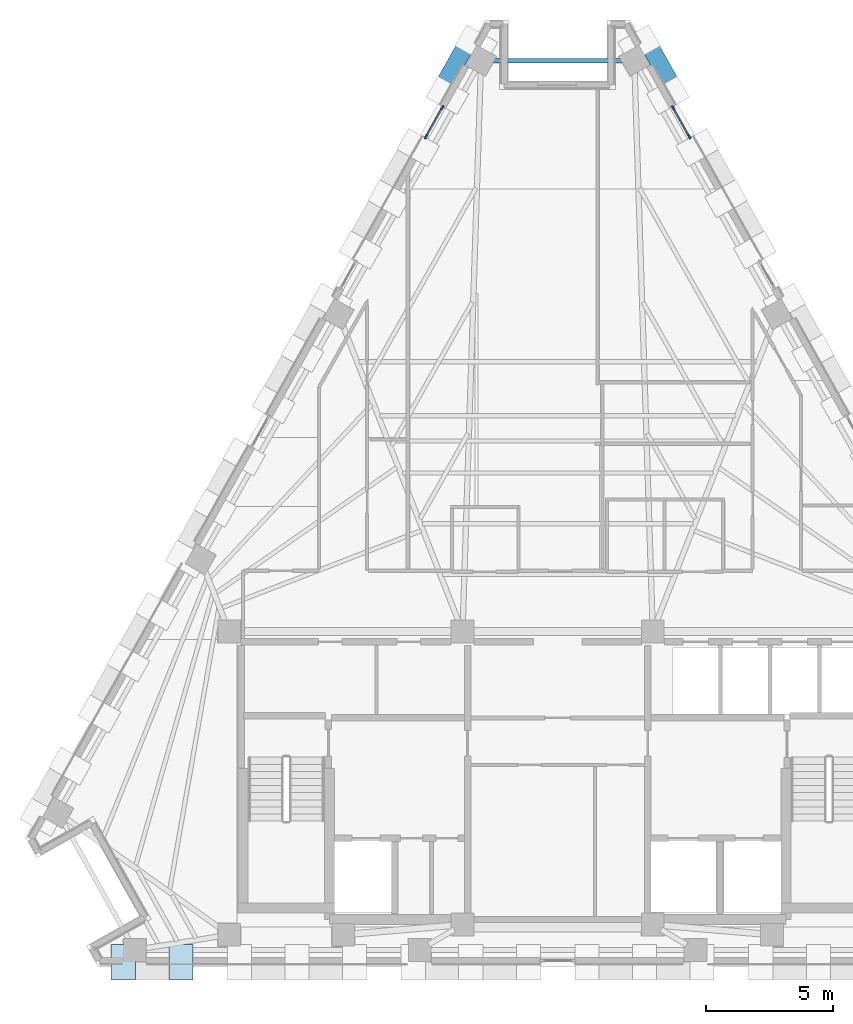
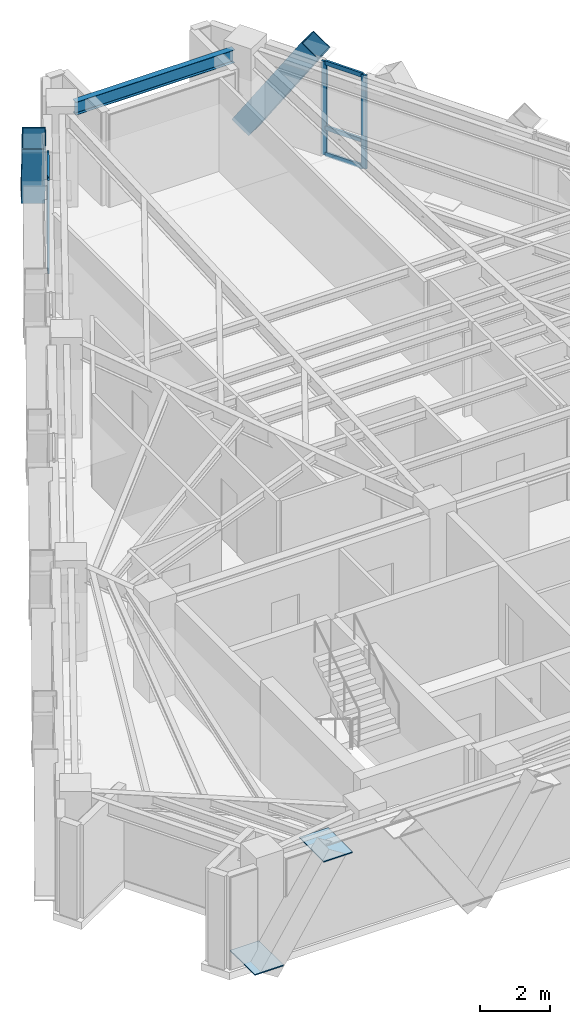
# One storey, part 5 of 12: 12 members, 2 plates, 1 beam, 2 elements without a shape of their own.
"""IFC4 building model written with IfcOpenShell, lengths in metres."""

from ifc_helpers import new_model, si_unit, direction, frame, origin, origin_2d, place, context, subcontext, project, spatial, rectangle, hollow_rectangle, i_section, extrude, material, layer, layer_set, material_profile, profile_set, type_object, element, aggregate, save


model = new_model("IFC4")

# Units and contexts
model_context = context("Model", 3, precision=1e-05, world=origin(), true_north=direction((0.0, 1.0)))
body_context = subcontext(model_context, "Body", "Model", "MODEL_VIEW")
ifc_project = project(units=[si_unit("LENGTHUNIT", "METRE"), si_unit("AREAUNIT", "SQUARE_METRE"), si_unit("VOLUMEUNIT", "CUBIC_METRE"), si_unit("PLANEANGLEUNIT", "RADIAN"), si_unit("MASSUNIT", "GRAM", prefix="KILO")], contexts=[model_context])

# Site, building, storey
site_placement = place(None, origin())
site = spatial("IfcSite", under=ifc_project, at=site_placement, CompositionType="ELEMENT")
building_placement = place(site_placement, origin())
building = spatial("IfcBuilding", under=site, at=building_placement, Name="Quenlor Broadcast Tower", CompositionType="ELEMENT")
storey_placement = place(building_placement, frame((0.0, 0.0, 211.39990234375)))
storey = spatial("IfcBuildingStorey", under=building, at=storey_placement, Name="L58", CompositionType="ELEMENT", Elevation=211.39990234375)

# Curtain wall, members
ifc_material_1 = material(Name="Architectural Terracotta and Low-E Glazing", Category="masonry")
curtain_wall_type = type_object("IfcCurtainWallType", Name="Unitised Terracotta Curtain Wall System Z4", PredefinedType="NOTDEFINED", material=ifc_material_1)
curtain_wall_1_placement = place(storey_placement, origin())
curtain_wall_1 = element("IfcCurtainWall", 1, at=curtain_wall_1_placement, inside=storey, type_object=curtain_wall_type, Name="L58 Curtain Wall CW4 (L58-NEA-G1)", PredefinedType="NOTDEFINED")
ifc_material_2 = material(Name="Aluminium 6063-T6", Category="aluminium")
ifc_material_profile_1 = material_profile(ifc_material_2, rectangle(XDim=0.068115234375, YDim=0.179931640625, at=origin_2d()))
ifc_profile_set_1 = profile_set([ifc_material_profile_1], Name="Aluminium 6063-T6 MULL68x180")
member_type_1 = type_object("IfcMemberType", Name="CW4 Aluminium Mullion MULL_CW4", PredefinedType="MULLION", material=ifc_profile_set_1)
member_1_placement = place(storey_placement, frame((4.550048828125, 15.85205078125, 0.0), z_axis=(0.0, 0.0, 1.0), x_axis=(0.871560008943, 0.490288844266, 0.0)))
member_1 = element("IfcMember", 2, at=member_1_placement, type_object=member_type_1, Name="CW4 mullion 1", PredefinedType="MULLION", context=body_context, shape_type="SweptSolid", body=[
    extrude(rectangle(XDim=0.068115234375, YDim=0.179931640625, at=origin_2d()), origin(), (0.0, 0.0, 1.0), 3.25),
])
member_2_placement = place(storey_placement, frame((5.19140625, 14.7119140625, 0.0), z_axis=(0.0, 0.0, 1.0), x_axis=(0.871560008943, 0.490288844266, 0.0)))
member_2 = element("IfcMember", 3, at=member_2_placement, type_object=member_type_1, Name="CW4 mullion 2", PredefinedType="MULLION", context=body_context, shape_type="SweptSolid", body=[
    extrude(rectangle(XDim=0.068115234375, YDim=0.179931640625, at=origin_2d()), origin(), (0.0, 0.0, 1.0), 3.25),
])

curtain_wall_2_placement = place(storey_placement, origin())
curtain_wall_2 = element("IfcCurtainWall", 4, at=curtain_wall_2_placement, inside=storey, type_object=curtain_wall_type, Name="L58 Curtain Wall CW4 (L58-NWC-G2)", PredefinedType="NOTDEFINED")
member_3_placement = place(storey_placement, frame((-5.19140625, 14.7119140625, 0.0), z_axis=(0.0, 0.0, 1.0), x_axis=(-0.871560008943, 0.490288844266, 0.0)))
member_3 = element("IfcMember", 5, at=member_3_placement, type_object=member_type_1, Name="CW4 mullion 1", PredefinedType="MULLION", context=body_context, shape_type="SweptSolid", body=[
    extrude(rectangle(XDim=0.068115234375, YDim=0.179931640625, at=origin_2d()), origin(), (0.0, 0.0, 1.0), 3.25),
])
member_4_placement = place(storey_placement, frame((-4.550048828125, 15.85205078125, 0.0), z_axis=(0.0, 0.0, 1.0), x_axis=(-0.871560008943, 0.490288844266, 0.0)))
member_4 = element("IfcMember", 6, at=member_4_placement, type_object=member_type_1, Name="CW4 mullion 2", PredefinedType="MULLION", context=body_context, shape_type="SweptSolid", body=[
    extrude(rectangle(XDim=0.068115234375, YDim=0.179931640625, at=origin_2d()), origin(), (0.0, 0.0, 1.0), 3.25),
])

# Member
ifc_material_3 = material(Name="Aluminium 6063-T6", Category="aluminium")
ifc_material_profile_2 = material_profile(ifc_material_3, rectangle(XDim=0.068115234375, YDim=0.14990234375, at=origin_2d()))
ifc_profile_set_2 = profile_set([ifc_material_profile_2], Name="Aluminium 6063-T6 TRAN68x150")
member_type_2 = type_object("IfcMemberType", Name="CW4 Aluminium Transom TRAN_CW4", PredefinedType="USERDEFINED", material=ifc_profile_set_2)
member_5_placement = place(storey_placement, frame((4.566650390625, 15.822265625, 0.0341796875), z_axis=(0.490317332982, -0.871543982239, 0.0), x_axis=(0.871543982239, 0.490317332982, 0.0)))
member_5 = element("IfcMember", 7, at=member_5_placement, type_object=member_type_2, Name="CW4 transom 1.1", ObjectType="TRANSOM", PredefinedType="USERDEFINED", context=body_context, shape_type="SweptSolid", body=[
    extrude(rectangle(XDim=0.068115234375, YDim=0.14990234375, at=origin_2d()), origin(), (0.0, 0.0, 1.0), 1.23974609375),
])

member_6_placement = place(storey_placement, frame((4.566650390625, 15.822265625, 0.9501953125), z_axis=(0.490317332982, -0.871543982239, 0.0), x_axis=(0.871543982239, 0.490317332982, 0.0)))
member_6 = element("IfcMember", 8, at=member_6_placement, type_object=member_type_2, Name="CW4 transom 1.2", ObjectType="TRANSOM", PredefinedType="USERDEFINED", context=body_context, shape_type="SweptSolid", body=[
    extrude(rectangle(XDim=0.068115234375, YDim=0.14990234375, at=origin_2d()), origin(), (0.0, 0.0, 1.0), 1.23974609375),
])

member_7_placement = place(storey_placement, frame((4.566650390625, 15.822265625, 3.216064453125), z_axis=(0.490317332982, -0.871543982239, 0.0), x_axis=(0.871543982239, 0.490317332982, 0.0)))
member_7 = element("IfcMember", 9, at=member_7_placement, type_object=member_type_2, Name="CW4 transom 1.3", ObjectType="TRANSOM", PredefinedType="USERDEFINED", context=body_context, shape_type="SweptSolid", body=[
    extrude(rectangle(XDim=0.068115234375, YDim=0.14990234375, at=origin_2d()), origin(), (0.0, 0.0, 1.0), 1.23974609375),
])

aggregate(curtain_wall_1, [member_1, member_2, member_5, member_6, member_7])

member_8_placement = place(storey_placement, frame((-5.174560546875, 14.74169921875, 0.0341796875), z_axis=(0.490317332982, 0.871543982239, 0.0), x_axis=(-0.871543982239, 0.490317332982, 0.0)))
member_8 = element("IfcMember", 10, at=member_8_placement, type_object=member_type_2, Name="CW4 transom 1.1", ObjectType="TRANSOM", PredefinedType="USERDEFINED", context=body_context, shape_type="SweptSolid", body=[
    extrude(rectangle(XDim=0.068115234375, YDim=0.14990234375, at=origin_2d()), origin(), (0.0, 0.0, 1.0), 1.23974609375),
])

member_9_placement = place(storey_placement, frame((-5.174560546875, 14.74169921875, 0.9501953125), z_axis=(0.490317332982, 0.871543982239, 0.0), x_axis=(-0.871543982239, 0.490317332982, 0.0)))
member_9 = element("IfcMember", 11, at=member_9_placement, type_object=member_type_2, Name="CW4 transom 1.2", ObjectType="TRANSOM", PredefinedType="USERDEFINED", context=body_context, shape_type="SweptSolid", body=[
    extrude(rectangle(XDim=0.068115234375, YDim=0.14990234375, at=origin_2d()), origin(), (0.0, 0.0, 1.0), 1.23974609375),
])

member_10_placement = place(storey_placement, frame((-5.174560546875, 14.74169921875, 3.216064453125), z_axis=(0.490317332982, 0.871543982239, 0.0), x_axis=(-0.871543982239, 0.490317332982, 0.0)))
member_10 = element("IfcMember", 12, at=member_10_placement, type_object=member_type_2, Name="CW4 transom 1.3", ObjectType="TRANSOM", PredefinedType="USERDEFINED", context=body_context, shape_type="SweptSolid", body=[
    extrude(rectangle(XDim=0.068115234375, YDim=0.14990234375, at=origin_2d()), origin(), (0.0, 0.0, 1.0), 1.23974609375),
])

aggregate(curtain_wall_2, [member_3, member_4, member_8, member_9, member_10])

# Members
ifc_material_4 = material(Name="Steel S355", Category="steel")
ifc_material_profile_3 = material_profile(ifc_material_4, hollow_rectangle(XDim=0.679931640625, YDim=0.679931640625, WallThickness=0.02490234375, at=origin_2d()))
ifc_profile_set_3 = profile_set([ifc_material_profile_3], Name="Steel S355 RHS680x680x25")
member_type_3 = type_object("IfcMemberType", Name="Perimeter Diagonal Lattice Brace Z3-Z4 Steel S355 RHS680x25", PredefinedType="BRACE", material=ifc_profile_set_3)
for number, where, z_axis, x_axis, name in (
    (13, (3.50732421875, 18.51171875, -0.119873046875), (0.269539530269, -0.479181387144, 0.835304519224), (0.871575537125, 0.490261239633, 0.0), "L58 Perimeter Diamond Lattice NE-C1S"),
    (14, (-3.50732421875, 18.51171875, -0.119873046875), (-0.269539530269, -0.479181387144, 0.835304519224), (0.871575537125, -0.490261239633, 0.0), "L58 Perimeter Diamond Lattice NW-C5B"),
):
    element("IfcMember", number, at=place(storey_placement, frame(where, z_axis=z_axis, x_axis=x_axis)), inside=storey, type_object=member_type_3, Name=name, PredefinedType="BRACE", context=body_context, shape_type="SweptSolid", body=[
        extrude(hollow_rectangle(XDim=0.679931640625, YDim=0.679931640625, WallThickness=0.02490234375, at=origin_2d()), origin(), (0.0, 0.0, 1.0), 4.190185546875),
    ])

# Beam
ifc_material_5 = material(Name="Steel S355", Category="steel")
ifc_material_profile_4 = material_profile(ifc_material_5, i_section(OverallWidth=0.18994140625, OverallDepth=0.453857421875, WebThickness=0.008544921875, FlangeThickness=0.0126953125, FilletRadius=0.011474609375, at=origin_2d()))
ifc_profile_set_4 = profile_set([ifc_material_profile_4], Name="Steel S355 460UB67.1")
beam_type = type_object("IfcBeamType", Name="Perimeter Spandrel Beam Z4 Steel S355 460UB67.1", PredefinedType="SPANDREL", material=ifc_profile_set_4)
beam_placement = place(storey_placement, frame((2.610595703125, 17.704345703125, 3.023193359375), z_axis=(-1.0, 0.0, 0.0), x_axis=(0.0, -1.0, 0.0)))
element("IfcBeam", 15, at=beam_placement, inside=storey, type_object=beam_type, Name="L58 Spandrel Beam NE4-NW1", PredefinedType="SPANDREL", context=body_context, shape_type="SweptSolid", body=[
    extrude(i_section(OverallWidth=0.18994140625, OverallDepth=0.453857421875, WebThickness=0.008544921875, FlangeThickness=0.0126953125, FilletRadius=0.011474609375, at=origin_2d()), origin(), (0.0, 0.0, 1.0), 5.22119140625),
])

# Plates
ifc_material_6 = material(Name="Steel S355", Category="steel")
ifc_layer = layer(ifc_material_6, 0.035888671875)
ifc_layer_set = layer_set([ifc_layer], Name="Transfer Truss Steel S355 Gusset Node Plate 1400x950x36")
plate_type = type_object("IfcPlateType", Name="Transfer Truss Steel S355 Gusset Node Plate 1400x950x36", PredefinedType="SHEET", material=ifc_layer_set)
for number, where, z_axis, x_axis, name in (
    (16, (-17.1259765625, -17.8349609375, 0.0419921875), (0.0, 0.0, 1.0), (0.0, -1.0, 0.0), "L58 Lattice Tie Gusset Node S-B15"),
    (17, (-14.856201171875, -17.8349609375, 3.18212890625), (0.0, 0.0, 1.0), (0.0, -1.0, 0.0), "L58 Lattice Tie Gusset Node S-T14"),
):
    element("IfcPlate", number, at=place(storey_placement, frame(where, z_axis=z_axis, x_axis=x_axis)), inside=storey, type_object=plate_type, Name=name, PredefinedType="SHEET", context=body_context, shape_type="SweptSolid", body=[
        extrude(rectangle(XDim=1.39990234375, YDim=0.949951171875, at=origin_2d()), origin(), (0.0, 0.0, 1.0), 0.035888671875),
    ])

save(model, "model.ifc")
